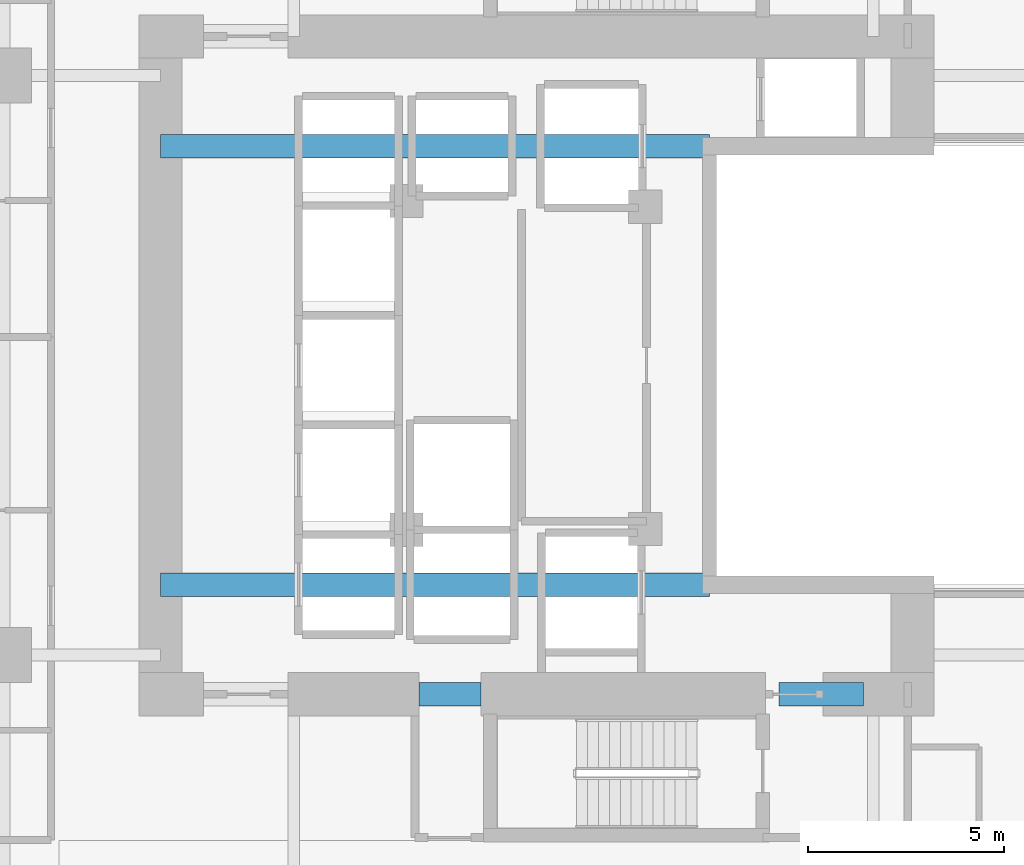
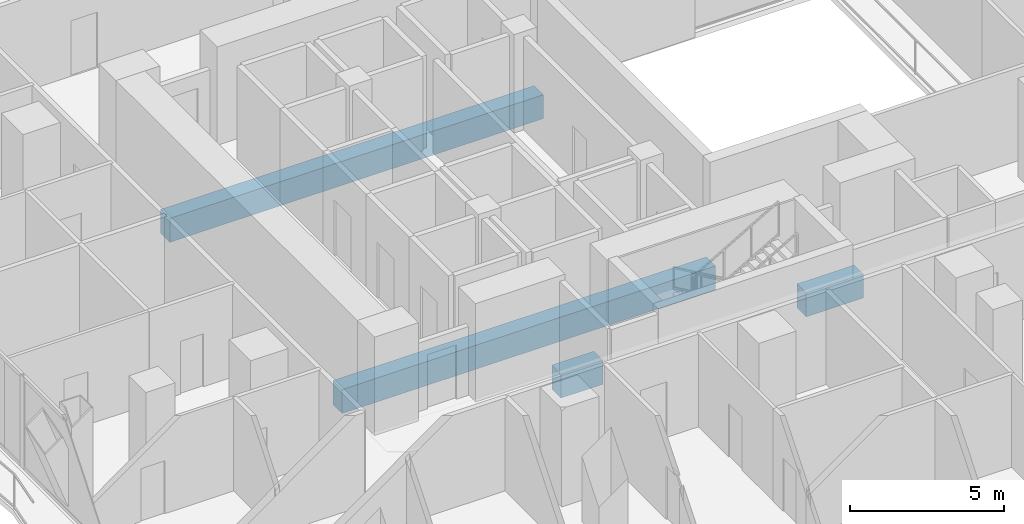
# One storey, part 8 of 33: 4 beams.
"""IFC4 building model written with IfcOpenShell, lengths in metres."""

from ifc_helpers import new_model, si_unit, direction, frame, origin, origin_2d, place, context, subcontext, project, spatial, rectangle, extrude, material, material_profile, profile_set, type_object, element, save


model = new_model("IFC4")

# Units and contexts
model_context = context("Model", 3, precision=1e-05, world=origin(), true_north=direction((0.0, 1.0)))
body_context = subcontext(model_context, "Body", "Model", "MODEL_VIEW")
ifc_project = project(units=[si_unit("LENGTHUNIT", "METRE"), si_unit("AREAUNIT", "SQUARE_METRE"), si_unit("VOLUMEUNIT", "CUBIC_METRE"), si_unit("PLANEANGLEUNIT", "RADIAN"), si_unit("MASSUNIT", "GRAM", prefix="KILO")], contexts=[model_context])

# Site, building, storey
site_placement = place(None, origin())
site = spatial("IfcSite", under=ifc_project, at=site_placement, CompositionType="ELEMENT")
building_placement = place(site_placement, origin())
building = spatial("IfcBuilding", under=site, at=building_placement, Name="Khorvyn Point Tower", CompositionType="ELEMENT")
storey_placement = place(building_placement, frame((0.0, 0.0, 38.39990234375)))
storey = spatial("IfcBuildingStorey", under=building, at=storey_placement, Name="L10", CompositionType="ELEMENT", Elevation=38.39990234375)

# Beams
ifc_material = material(Name="Concrete C50/60", Category="concrete")
ifc_material_profile = material_profile(ifc_material, rectangle(XDim=0.60009765625, YDim=0.949951171875, at=origin_2d()))
ifc_profile_set = profile_set([ifc_material_profile], Name="Concrete C50/60 RC600x950")
beam_type = type_object("IfcBeamType", Name="Concrete C50/60 Beam RC600x950", PredefinedType="BEAM", material=ifc_profile_set)
for number, where, z_axis, x_axis, name in (
    (1, (-10.800048828125, -5.60009765625, -0.69482421875), (1.0, 0.0, 0.0), (0.0, 1.0, 0.0), "L10 Core Internal Tie Girder S"),
    (2, (-10.800048828125, 5.60009765625, -0.69482421875), (1.0, 0.0, 0.0), (0.0, 1.0, 0.0), "L10 Core Internal Tie Girder N"),
):
    element("IfcBeam", number, at=place(storey_placement, frame(where, z_axis=z_axis, x_axis=x_axis)), inside=storey, type_object=beam_type, Name=name, PredefinedType="BEAM", context=body_context, shape_type="SweptSolid", body=[
        extrude(rectangle(XDim=0.60009765625, YDim=0.949951171875, at=origin_2d()), origin(), (0.0, 0.0, 1.0), 14.02001953125),
    ])
beam_1_placement = place(storey_placement, frame((-4.199951171875, -8.39990234375, -0.69482421875), z_axis=(1.0, 0.0, 0.0), x_axis=(0.0, 1.0, 0.0)))
element("IfcBeam", 3, at=beam_1_placement, inside=storey, type_object=beam_type, Name="L10 Core Shuttle Portal Coupling Beam", PredefinedType="BEAM", context=body_context, shape_type="SweptSolid", body=[
    extrude(rectangle(XDim=0.60009765625, YDim=0.949951171875, at=origin_2d()), origin(), (0.0, 0.0, 1.0), 1.579833984375),
])
beam_2_placement = place(storey_placement, frame((5.0, -8.39990234375, -0.69482421875), z_axis=(1.0, 0.0, 0.0), x_axis=(0.0, 1.0, 0.0)))
element("IfcBeam", 4, at=beam_2_placement, inside=storey, type_object=beam_type, Name="L10 Core Southeast Portal Coupling Beam", PredefinedType="BEAM", context=body_context, shape_type="SweptSolid", body=[
    extrude(rectangle(XDim=0.60009765625, YDim=0.949951171875, at=origin_2d()), origin(), (0.0, 0.0, 1.0), 2.14990234375),
])

save(model, "model.ifc")
